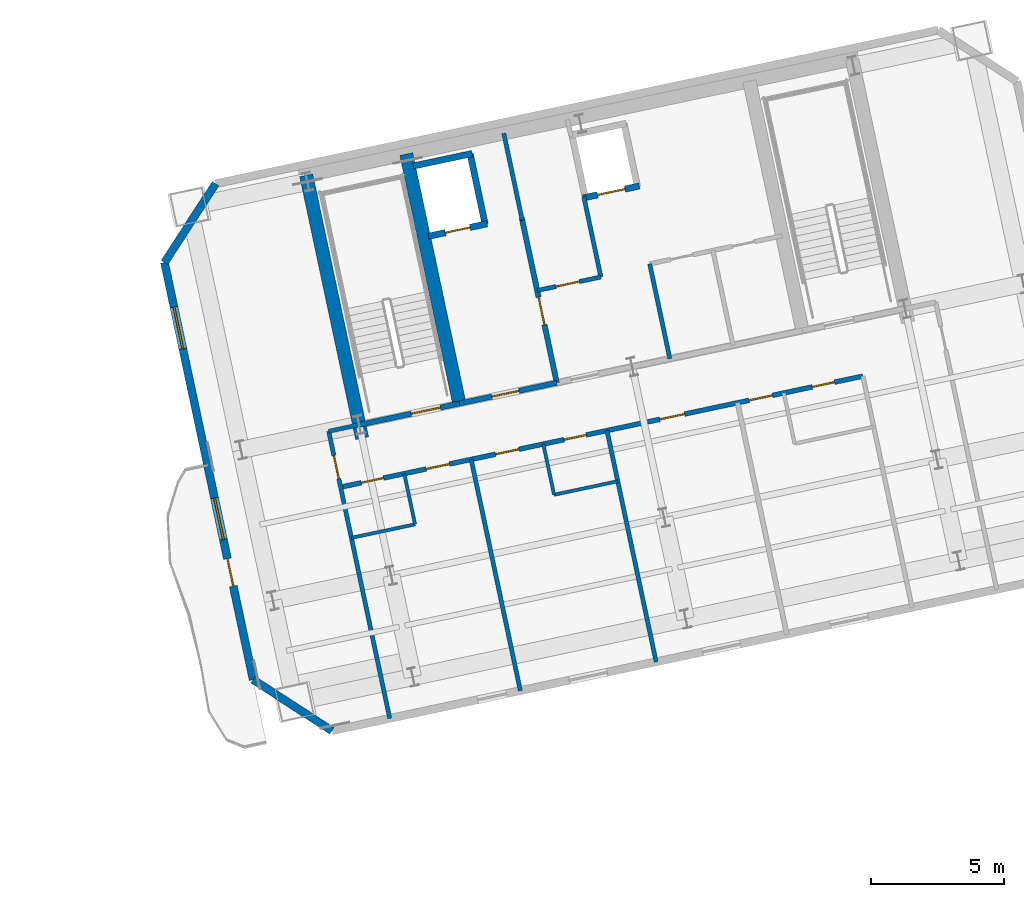
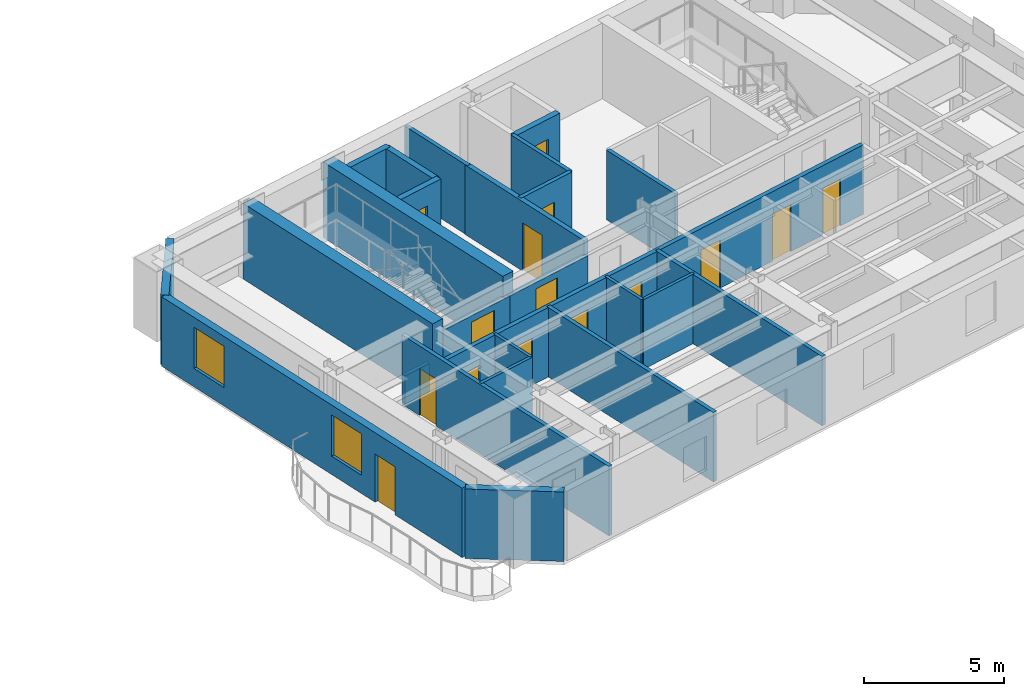
# One storey, part 9 of 15: 25 walls, 15 doors, 2 windows, 17 openings.
"""IFC4 building model written with IfcOpenShell, lengths in metres."""

from ifc_helpers import new_model, si_unit, direction, frame, frame_2d, origin, place, context, subcontext, project, spatial, rectangle, extrude, material, layer, layer_set, type_object, element, fill, save


model = new_model("IFC4")

# Units and contexts
model_context = context("Model", 3, precision=1e-05, world=origin(), true_north=direction((0.0, 1.0)))
body_context = subcontext(model_context, "Body", "Model", "MODEL_VIEW")
ifc_project = project(units=[si_unit("LENGTHUNIT", "METRE"), si_unit("AREAUNIT", "SQUARE_METRE"), si_unit("VOLUMEUNIT", "CUBIC_METRE"), si_unit("PLANEANGLEUNIT", "RADIAN"), si_unit("MASSUNIT", "GRAM", prefix="KILO")], contexts=[model_context])

# Site, building, storey
site_placement = place(None, origin())
site = spatial("IfcSite", under=ifc_project, at=site_placement, CompositionType="ELEMENT")
building_placement = place(site_placement, origin())
building = spatial("IfcBuilding", under=site, at=building_placement, Name="Haevon Station Towers", CompositionType="ELEMENT")
storey_placement = place(building_placement, frame((0.0, 0.0, 152.699951171875)))
storey = spatial("IfcBuildingStorey", under=building, at=storey_placement, Name="L41", CompositionType="ELEMENT", Elevation=152.699951171875)

# Wall, openings, doors
ifc_material_1 = material(Name="Gypsum board on steel stud", Category="steel")
ifc_layer_1 = layer(ifc_material_1, 0.179931640625)
ifc_layer_set_1 = layer_set([ifc_layer_1], Name="Gypsum board on steel stud")
wall_type_1 = type_object("IfcWallType", Name="WL-ACU180", PredefinedType="PARTITIONING", material=ifc_layer_set_1)
wall_1_placement = place(storey_placement, frame((98.050048828125, 35.09521484375, 0.0), z_axis=(0.0, 0.0, 1.0), x_axis=(0.978147424763, 0.207912518693, 0.0)))
wall_1 = element("IfcWall", 1, at=wall_1_placement, inside=storey, type_object=wall_type_1, Name="WL-T2PT-L41-15", PredefinedType="PARTITIONING", context=body_context, shape_type="SweptSolid", body=[
    extrude(rectangle(XDim=20.094970703125, YDim=0.179931640625, at=frame_2d((10.04736328125, 0.0))), origin(), (0.0, 0.0, 1.0), 3.030029296875),
])
opening_1_placement = place(wall_1_placement, frame((0.800048828125, 0.0, 0.0)))
opening_1 = element("IfcOpeningElement", 2, at=opening_1_placement, cuts=wall_1, Name="Opening DR-WL-T2PT-L41-15-01", PredefinedType="OPENING", context=body_context, shape_type="SweptSolid", body=[
    extrude(rectangle(XDim=0.85009765625, YDim=2.050048828125, at=frame_2d((0.425048828125, 1.02490234375))), frame((0.0, 0.099853515625, 0.0), z_axis=(0.0, -1.0, 0.0), x_axis=(1.0, 0.0, 0.0)), (0.0, 0.0, 1.0), 0.199951171875),
])
opening_2_placement = place(wall_1_placement, frame((3.287109375, 0.0, 0.0)))
opening_2 = element("IfcOpeningElement", 3, at=opening_2_placement, cuts=wall_1, Name="Opening DR-WL-T2PT-L41-15-02", PredefinedType="OPENING", context=body_context, shape_type="SweptSolid", body=[
    extrude(rectangle(XDim=0.89990234375, YDim=2.050048828125, at=frame_2d((0.449951171875, 1.02490234375))), frame((0.0, 0.099853515625, 0.0), z_axis=(0.0, -1.0, 0.0), x_axis=(1.0, 0.0, 0.0)), (0.0, 0.0, 1.0), 0.199951171875),
])
opening_3_placement = place(wall_1_placement, frame((8.59912109375, 0.0, 0.0)))
opening_3 = element("IfcOpeningElement", 4, at=opening_3_placement, cuts=wall_1, Name="Opening DR-WL-T2PT-L41-15-03", PredefinedType="OPENING", context=body_context, shape_type="SweptSolid", body=[
    extrude(rectangle(XDim=0.85009765625, YDim=2.050048828125, at=frame_2d((0.425048828125, 1.02490234375))), frame((0.0, 0.099853515625, 0.0), z_axis=(0.0, -1.0, 0.0), x_axis=(1.0, 0.0, 0.0)), (0.0, 0.0, 1.0), 0.199951171875),
])
opening_4_placement = place(wall_1_placement, frame((5.9609375, 0.0, 0.0)))
opening_4 = element("IfcOpeningElement", 5, at=opening_4_placement, cuts=wall_1, Name="Opening DR-WL-T2PT-L41-15-04", PredefinedType="OPENING", context=body_context, shape_type="SweptSolid", body=[
    extrude(rectangle(XDim=0.89990234375, YDim=2.050048828125, at=frame_2d((0.449951171875, 1.02490234375))), frame((0.0, 0.099853515625, 0.0), z_axis=(0.0, -1.0, 0.0), x_axis=(1.0, 0.0, 0.0)), (0.0, 0.0, 1.0), 0.199951171875),
])
opening_5_placement = place(wall_1_placement, frame((12.284912109375, 0.0, 0.0)))
opening_5 = element("IfcOpeningElement", 6, at=opening_5_placement, cuts=wall_1, Name="Opening DR-WL-T2PT-L41-15-05", PredefinedType="OPENING", context=body_context, shape_type="SweptSolid", body=[
    extrude(rectangle(XDim=0.949951171875, YDim=2.10009765625, at=frame_2d((0.47509765625, 1.050048828125))), frame((0.0, 0.099853515625, 0.0), z_axis=(0.0, -1.0, 0.0), x_axis=(1.0, 0.0, 0.0)), (0.0, 0.0, 1.0), 0.199951171875),
])
opening_6_placement = place(wall_1_placement, frame((18.14892578125, 0.0, 0.0)))
opening_6 = element("IfcOpeningElement", 7, at=opening_6_placement, cuts=wall_1, Name="Opening DR-WL-T2PT-L41-15-06", PredefinedType="OPENING", context=body_context, shape_type="SweptSolid", body=[
    extrude(rectangle(XDim=0.85009765625, YDim=2.050048828125, at=frame_2d((0.425048828125, 1.02490234375))), frame((0.0, 0.099853515625, 0.0), z_axis=(0.0, -1.0, 0.0), x_axis=(1.0, 0.0, 0.0)), (0.0, 0.0, 1.0), 0.199951171875),
])
opening_7_placement = place(wall_1_placement, frame((15.7119140625, 0.0, 0.0)))
opening_7 = element("IfcOpeningElement", 8, at=opening_7_placement, cuts=wall_1, Name="Opening DR-WL-T2PT-L41-15-07", PredefinedType="OPENING", context=body_context, shape_type="SweptSolid", body=[
    extrude(rectangle(XDim=0.89990234375, YDim=2.050048828125, at=frame_2d((0.449951171875, 1.02490234375))), frame((0.0, 0.099853515625, 0.0), z_axis=(0.0, -1.0, 0.0), x_axis=(1.0, 0.0, 0.0)), (0.0, 0.0, 1.0), 0.199951171875),
])
ifc_material_2 = material(Name="Engineered oak timber", Category="wood")
door_type_1 = type_object("IfcDoorType", Name="DR-FD30-850", OperationType="NOTDEFINED", PredefinedType="DOOR", material=ifc_material_2)
door_1_placement = place(opening_1_placement, origin())
door_1 = element("IfcDoor", 9, at=door_1_placement, inside=storey, type_object=door_type_1, Name="L41 Tower 2 Room Door 15-1", OperationType="SINGLE_SWING_RIGHT", OverallHeight=2.050048828125, OverallWidth=0.85009765625, PredefinedType="DOOR", context=body_context, shape_type="SweptSolid", body=[
    extrude(rectangle(XDim=0.85009765625, YDim=2.050048828125, at=frame_2d((0.425048828125, 1.02490234375))), frame((0.0, 0.02490234375, 0.0), z_axis=(0.0, -1.0, 0.0), x_axis=(1.0, 0.0, 0.0)), (0.0, 0.0, 1.0), 0.050048828125),
])
fill(opening_1, door_1)
door_2_placement = place(opening_3_placement, origin())
door_2 = element("IfcDoor", 10, at=door_2_placement, inside=storey, type_object=door_type_1, Name="L41 Tower 2 Room Door 15-3", OperationType="SINGLE_SWING_RIGHT", OverallHeight=2.050048828125, OverallWidth=0.85009765625, PredefinedType="DOOR", context=body_context, shape_type="SweptSolid", body=[
    extrude(rectangle(XDim=0.85009765625, YDim=2.050048828125, at=frame_2d((0.425048828125, 1.02490234375))), frame((0.0, 0.02490234375, 0.0), z_axis=(0.0, -1.0, 0.0), x_axis=(1.0, 0.0, 0.0)), (0.0, 0.0, 1.0), 0.050048828125),
])
fill(opening_3, door_2)
door_3_placement = place(opening_6_placement, origin())
door_3 = element("IfcDoor", 11, at=door_3_placement, inside=storey, type_object=door_type_1, Name="L41 Tower 2 Room Door 15-6", OperationType="SINGLE_SWING_LEFT", OverallHeight=2.050048828125, OverallWidth=0.85009765625, PredefinedType="DOOR", context=body_context, shape_type="SweptSolid", body=[
    extrude(rectangle(XDim=0.85009765625, YDim=2.050048828125, at=frame_2d((0.425048828125, 1.02490234375))), frame((0.0, 0.02490234375, 0.0), z_axis=(0.0, -1.0, 0.0), x_axis=(1.0, 0.0, 0.0)), (0.0, 0.0, 1.0), 0.050048828125),
])
fill(opening_6, door_3)
door_type_2 = type_object("IfcDoorType", Name="DR-FD30-950", OperationType="NOTDEFINED", PredefinedType="DOOR", material=ifc_material_2)
door_4_placement = place(opening_5_placement, origin())
door_4 = element("IfcDoor", 12, at=door_4_placement, inside=storey, type_object=door_type_2, Name="L41 Tower 2 Room Door 15-5", OperationType="SINGLE_SWING_RIGHT", OverallHeight=2.10009765625, OverallWidth=0.949951171875, PredefinedType="DOOR", context=body_context, shape_type="SweptSolid", body=[
    extrude(rectangle(XDim=0.949951171875, YDim=2.10009765625, at=frame_2d((0.47509765625, 1.050048828125))), frame((0.0, 0.02490234375, 0.0), z_axis=(0.0, -1.0, 0.0), x_axis=(1.0, 0.0, 0.0)), (0.0, 0.0, 1.0), 0.050048828125),
])
fill(opening_5, door_4)
door_type_3 = type_object("IfcDoorType", Name="DR-INT-900", OperationType="NOTDEFINED", PredefinedType="DOOR", material=ifc_material_2)
door_5_placement = place(opening_2_placement, origin())
door_5 = element("IfcDoor", 13, at=door_5_placement, inside=storey, type_object=door_type_3, Name="L41 Tower 2 Room Door 15-2", OperationType="SINGLE_SWING_LEFT", OverallHeight=2.050048828125, OverallWidth=0.89990234375, PredefinedType="DOOR", context=body_context, shape_type="SweptSolid", body=[
    extrude(rectangle(XDim=0.89990234375, YDim=2.050048828125, at=frame_2d((0.449951171875, 1.02490234375))), frame((0.0, 0.02490234375, 0.0), z_axis=(0.0, -1.0, 0.0), x_axis=(1.0, 0.0, 0.0)), (0.0, 0.0, 1.0), 0.050048828125),
])
fill(opening_2, door_5)
door_6_placement = place(opening_4_placement, origin())
door_6 = element("IfcDoor", 14, at=door_6_placement, inside=storey, type_object=door_type_3, Name="L41 Tower 2 Room Door 15-4", OperationType="SINGLE_SWING_LEFT", OverallHeight=2.050048828125, OverallWidth=0.89990234375, PredefinedType="DOOR", context=body_context, shape_type="SweptSolid", body=[
    extrude(rectangle(XDim=0.89990234375, YDim=2.050048828125, at=frame_2d((0.449951171875, 1.02490234375))), frame((0.0, 0.02490234375, 0.0), z_axis=(0.0, -1.0, 0.0), x_axis=(1.0, 0.0, 0.0)), (0.0, 0.0, 1.0), 0.050048828125),
])
fill(opening_4, door_6)
door_7_placement = place(opening_7_placement, origin())
door_7 = element("IfcDoor", 15, at=door_7_placement, inside=storey, type_object=door_type_3, Name="L41 Tower 2 Room Door 15-7", OperationType="SINGLE_SWING_RIGHT", OverallHeight=2.050048828125, OverallWidth=0.89990234375, PredefinedType="DOOR", context=body_context, shape_type="SweptSolid", body=[
    extrude(rectangle(XDim=0.89990234375, YDim=2.050048828125, at=frame_2d((0.449951171875, 1.02490234375))), frame((0.0, 0.02490234375, 0.0), z_axis=(0.0, -1.0, 0.0), x_axis=(1.0, 0.0, 0.0)), (0.0, 0.0, 1.0), 0.050048828125),
])
fill(opening_7, door_7)

# Wall, opening, door
ifc_layer_2 = layer(ifc_material_1, 0.199951171875)
ifc_layer_set_2 = layer_set([ifc_layer_2], Name="Gypsum board on steel stud")
wall_type_2 = type_object("IfcWallType", Name="WL-COR200", PredefinedType="PARTITIONING", material=ifc_layer_set_2)
wall_2_placement = place(storey_placement, frame((98.75244140625, 37.4423828125, 0.0), z_axis=(0.0, 0.0, 1.0), x_axis=(0.978143537786, 0.207930804564, 0.0)))
wall_2 = element("IfcWall", 16, at=wall_2_placement, inside=storey, type_object=wall_type_2, Name="WL-ST-ST3-L41", PredefinedType="PARTITIONING", context=body_context, shape_type="SweptSolid", body=[
    extrude(rectangle(XDim=3.85009765625, YDim=0.199951171875, at=frame_2d((1.925048828125, 0.0))), origin(), (0.0, 0.0, 1.0), 2.380126953125),
])
opening_8_placement = place(wall_2_placement, frame((2.0, 0.0, 0.0)))
opening_8 = element("IfcOpeningElement", 17, at=opening_8_placement, cuts=wall_2, Name="Opening DR-ST-ST3-L41", PredefinedType="OPENING", context=body_context, shape_type="SweptSolid", body=[
    extrude(rectangle(XDim=1.1201171875, YDim=2.10009765625, at=frame_2d((0.56005859375, 1.050048828125))), frame((0.0, 0.10986328125, 0.0), z_axis=(0.0, -1.0, 0.0), x_axis=(1.0, 0.0, 0.0)), (0.0, 0.0, 1.0), 0.219970703125),
])
door_type_4 = type_object("IfcDoorType", Name="DR-ST-1120", OperationType="NOTDEFINED", PredefinedType="DOOR", material=ifc_material_2)
door_8_placement = place(opening_8_placement, origin())
door_8 = element("IfcDoor", 18, at=door_8_placement, inside=storey, type_object=door_type_4, Name="L41 Escape Stair ST3 Fire Door", OperationType="SINGLE_SWING_RIGHT", OverallHeight=2.10009765625, OverallWidth=1.1201171875, PredefinedType="DOOR", context=body_context, shape_type="SweptSolid", body=[
    extrude(rectangle(XDim=1.1201171875, YDim=2.10009765625, at=frame_2d((0.56005859375, 1.050048828125))), frame((0.0, 0.02490234375, 0.0), z_axis=(0.0, -1.0, 0.0), x_axis=(1.0, 0.0, 0.0)), (0.0, 0.0, 1.0), 0.050048828125),
])
fill(opening_8, door_8)

wall_3_placement = place(storey_placement, frame((106.186279296875, 39.0224609375, 0.0), z_axis=(0.0, 0.0, 1.0), x_axis=(-0.207916691923, 0.978146537703, 0.0)))
wall_3 = element("IfcWall", 19, at=wall_3_placement, inside=storey, type_object=wall_type_2, Name="WL-T2FFL-L41-E", PredefinedType="PARTITIONING", context=body_context, shape_type="SweptSolid", body=[
    extrude(rectangle(XDim=6.35009765625, YDim=0.199951171875, at=frame_2d((3.175048828125, 0.0))), origin(), (0.0, 0.0, 1.0), 3.030029296875),
])
opening_9_placement = place(wall_3_placement, frame((2.239990234375, 0.0, 0.0)))
opening_9 = element("IfcOpeningElement", 20, at=opening_9_placement, cuts=wall_3, Name="Opening DR-T2FFL-L41-E", PredefinedType="OPENING", context=body_context, shape_type="SweptSolid", body=[
    extrude(rectangle(XDim=1.050048828125, YDim=2.10009765625, at=frame_2d((0.52490234375, 1.050048828125))), frame((0.0, 0.10986328125, 0.0), z_axis=(0.0, -1.0, 0.0), x_axis=(1.0, 0.0, 0.0)), (0.0, 0.0, 1.0), 0.219970703125),
])
door_type_5 = type_object("IfcDoorType", Name="DR-FD60-1050", OperationType="NOTDEFINED", PredefinedType="DOOR", material=ifc_material_2)
door_9_placement = place(opening_9_placement, origin())
door_9 = element("IfcDoor", 21, at=door_9_placement, inside=storey, type_object=door_type_5, Name="L41 Tower 2 Firefighting Lift Lobby Door E", OperationType="SINGLE_SWING_RIGHT", OverallHeight=2.10009765625, OverallWidth=1.050048828125, PredefinedType="DOOR", context=body_context, shape_type="SweptSolid", body=[
    extrude(rectangle(XDim=1.050048828125, YDim=2.10009765625, at=frame_2d((0.52490234375, 1.050048828125))), frame((0.0, 0.02490234375, 0.0), z_axis=(0.0, -1.0, 0.0), x_axis=(1.0, 0.0, 0.0)), (0.0, 0.0, 1.0), 0.050048828125),
])
fill(opening_9, door_9)

wall_4_placement = place(storey_placement, frame((102.518310546875, 38.242919921875, 0.0), z_axis=(0.0, 0.0, 1.0), x_axis=(0.978153555683, 0.20788367301, 0.0)))
wall_4 = element("IfcWall", 22, at=wall_4_placement, inside=storey, type_object=wall_type_2, Name="WL-T2FFL-L41-S", PredefinedType="PARTITIONING", context=body_context, shape_type="SweptSolid", body=[
    extrude(rectangle(XDim=3.75, YDim=0.199951171875, at=frame_2d((1.875, 0.0))), origin(), (0.0, 0.0, 1.0), 2.380126953125),
])
opening_10_placement = place(wall_4_placement, frame((1.25, 0.0, 0.0)))
opening_10 = element("IfcOpeningElement", 23, at=opening_10_placement, cuts=wall_4, Name="Opening DR-T2FFL-L41-S", PredefinedType="OPENING", context=body_context, shape_type="SweptSolid", body=[
    extrude(rectangle(XDim=1.050048828125, YDim=2.10009765625, at=frame_2d((0.52490234375, 1.050048828125))), frame((0.0, 0.10986328125, 0.0), z_axis=(0.0, -1.0, 0.0), x_axis=(1.0, 0.0, 0.0)), (0.0, 0.0, 1.0), 0.219970703125),
])
door_10_placement = place(opening_10_placement, origin())
door_10 = element("IfcDoor", 24, at=door_10_placement, inside=storey, type_object=door_type_5, Name="L41 Tower 2 Firefighting Lift Lobby Door S", OperationType="SINGLE_SWING_LEFT", OverallHeight=2.10009765625, OverallWidth=1.050048828125, PredefinedType="DOOR", context=body_context, shape_type="SweptSolid", body=[
    extrude(rectangle(XDim=1.050048828125, YDim=2.10009765625, at=frame_2d((0.52490234375, 1.050048828125))), frame((0.0, 0.02490234375, 0.0), z_axis=(0.0, -1.0, 0.0), x_axis=(1.0, 0.0, 0.0)), (0.0, 0.0, 1.0), 0.050048828125),
])
fill(opening_10, door_10)

# Walls
ifc_material_3 = material(Name="Concrete C60/75", Category="concrete")
ifc_layer_3 = layer(ifc_material_3, 0.5)
ifc_layer_set_3 = layer_set([ifc_layer_3], Name="Concrete C60/75")
wall_type_3 = type_object("IfcWallType", Name="WL-CR500", PredefinedType="SHEAR", material=ifc_layer_set_3)
wall_5_placement = place(storey_placement, frame((98.8603515625, 36.933837890625, 0.0), z_axis=(0.0, 0.0, 1.0), x_axis=(-0.20790924889, 0.978148119778, 0.0)))
element("IfcWall", 25, at=wall_5_placement, inside=storey, type_object=wall_type_3, Name="WL-T2CR-L41-W", PredefinedType="SHEAR", context=body_context, shape_type="SweptSolid", body=[
    extrude(rectangle(XDim=10.119873046875, YDim=0.5, at=frame_2d((5.06005859375, 0.0))), origin(), (0.0, 0.0, 1.0), 3.300048828125),
])
wall_6_placement = place(storey_placement, frame((102.518310546875, 38.242919921875, 0.0), z_axis=(0.0, 0.0, 1.0), x_axis=(-0.207927495108, 0.978144241295, 0.0)))
element("IfcWall", 26, at=wall_6_placement, inside=storey, type_object=wall_type_3, Name="WL-T2CR-L41-M1", PredefinedType="SHEAR", context=body_context, shape_type="SweptSolid", body=[
    extrude(rectangle(XDim=9.599853515625, YDim=0.5, at=frame_2d((4.7998046875, 0.0))), origin(), (0.0, 0.0, 1.0), 3.300048828125),
])
ifc_material_4 = material(Name="Precast concrete C45/55", Category="concrete")
ifc_layer_4 = layer(ifc_material_4, 0.300048828125)
ifc_layer_set_4 = layer_set([ifc_layer_4], Name="Precast concrete C45/55")
wall_type_4 = type_object("IfcWallType", Name="WL-EXT-PIER300", PredefinedType="SOLIDWALL", material=ifc_layer_set_4)
wall_7_placement = place(storey_placement, frame((97.72412109375, 25.927001953125, 0.0), z_axis=(0.0, 0.0, 1.0), x_axis=(-0.838672309694, 0.544636352948, 0.0)))
element("IfcWall", 27, at=wall_7_placement, inside=storey, type_object=wall_type_4, Name="WL-T2-L41-SWC", PredefinedType="SOLIDWALL", context=body_context, shape_type="SweptSolid", body=[
    extrude(rectangle(XDim=3.535400390625, YDim=0.300048828125, at=frame_2d((1.767578125, 0.0))), origin(), (0.0, 0.0, 1.0), 3.030029296875),
])

# Wall, openings, door, windows
wall_8_placement = place(storey_placement, frame((94.759033203125, 27.8525390625, 0.0), z_axis=(0.0, 0.0, 1.0), x_axis=(-0.207922793235, 0.978145240776, 0.0)))
wall_8 = element("IfcWall", 28, at=wall_8_placement, inside=storey, type_object=wall_type_4, Name="WL-T2-L41-W", PredefinedType="SOLIDWALL", context=body_context, shape_type="SweptSolid", body=[
    extrude(rectangle(XDim=16.050048828125, YDim=0.300048828125, at=frame_2d((8.02490234375, 0.0))), origin(), (0.0, 0.0, 1.0), 3.030029296875),
])
opening_11_placement = place(wall_8_placement, frame((3.60009765625, 0.0, 0.0)))
opening_11 = element("IfcOpeningElement", 29, at=opening_11_placement, cuts=wall_8, Name="Opening DR-T2-SCAL-L41-W", PredefinedType="OPENING", context=body_context, shape_type="SweptSolid", body=[
    extrude(rectangle(XDim=1.050048828125, YDim=2.10009765625, at=frame_2d((0.52490234375, 1.050048828125))), frame((0.0, 0.159912109375, 0.0), z_axis=(0.0, -1.0, 0.0), x_axis=(1.0, 0.0, 0.0)), (0.0, 0.0, 1.0), 0.320068359375),
])
opening_12_placement = place(wall_8_placement, frame((5.389404296875, 0.0, 0.800048828125)))
opening_12 = element("IfcOpeningElement", 30, at=opening_12_placement, cuts=wall_8, Name="Opening WN-END160", PredefinedType="OPENING", context=body_context, shape_type="SweptSolid", body=[
    extrude(rectangle(XDim=1.60009765625, YDim=1.800048828125, at=frame_2d((0.800048828125, 0.89990234375))), frame((0.0, 0.159912109375, 0.0), z_axis=(0.0, -1.0, 0.0), x_axis=(1.0, 0.0, 0.0)), (0.0, 0.0, 1.0), 0.320068359375),
])
opening_13_placement = place(wall_8_placement, frame((12.732177734375, 0.0, 0.800048828125)))
opening_13 = element("IfcOpeningElement", 31, at=opening_13_placement, cuts=wall_8, Name="Opening WN-END160", PredefinedType="OPENING", context=body_context, shape_type="SweptSolid", body=[
    extrude(rectangle(XDim=1.60009765625, YDim=1.800048828125, at=frame_2d((0.800048828125, 0.89990234375))), frame((0.0, 0.159912109375, 0.0), z_axis=(0.0, -1.0, 0.0), x_axis=(1.0, 0.0, 0.0)), (0.0, 0.0, 1.0), 0.320068359375),
])
ifc_material_5 = material(Name="Thermally broken anodised aluminium and laminated safety glass", Category="aluminium")
door_type_6 = type_object("IfcDoorType", Name="DR-BALC-1050", OperationType="NOTDEFINED", PredefinedType="DOOR", material=ifc_material_5)
door_11_placement = place(opening_11_placement, origin())
door_11 = element("IfcDoor", 32, at=door_11_placement, inside=storey, type_object=door_type_6, Name="Tower 2 L41 West Scalloped Balcony Door", OperationType="SINGLE_SWING_LEFT", OverallHeight=2.10009765625, OverallWidth=1.050048828125, PredefinedType="DOOR", context=body_context, shape_type="SweptSolid", body=[
    extrude(rectangle(XDim=1.050048828125, YDim=2.10009765625, at=frame_2d((0.52490234375, 1.050048828125))), frame((0.0, 0.02490234375, 0.0), z_axis=(0.0, -1.0, 0.0), x_axis=(1.0, 0.0, 0.0)), (0.0, 0.0, 1.0), 0.050048828125),
])
fill(opening_11, door_11)
ifc_material_6 = material(Name="Low-E triple glazing in thermally broken aluminium", Category="aluminium")
window_type = type_object("IfcWindowType", Name="WN-END160", PartitioningType="SINGLE_PANEL", PredefinedType="WINDOW", material=ifc_material_6)
window_1_placement = place(opening_12_placement, origin())
window_1 = element("IfcWindow", 33, at=window_1_placement, inside=storey, type_object=window_type, Name="WN-T2-L41-W01", OverallHeight=1.800048828125, OverallWidth=1.60009765625, PartitioningType="SINGLE_PANEL", PredefinedType="WINDOW", context=body_context, shape_type="SweptSolid", body=[
    extrude(rectangle(XDim=1.60009765625, YDim=1.800048828125, at=frame_2d((0.800048828125, 0.89990234375))), frame((0.0, 0.030029296875, 0.0), z_axis=(0.0, -1.0, 0.0), x_axis=(1.0, 0.0, 0.0)), (0.0, 0.0, 1.0), 0.06005859375),
])
fill(opening_12, window_1)
window_2_placement = place(opening_13_placement, origin())
window_2 = element("IfcWindow", 34, at=window_2_placement, inside=storey, type_object=window_type, Name="WN-T2-L41-W02", OverallHeight=1.800048828125, OverallWidth=1.60009765625, PartitioningType="SINGLE_PANEL", PredefinedType="WINDOW", context=body_context, shape_type="SweptSolid", body=[
    extrude(rectangle(XDim=1.60009765625, YDim=1.800048828125, at=frame_2d((0.800048828125, 0.89990234375))), frame((0.0, 0.030029296875, 0.0), z_axis=(0.0, -1.0, 0.0), x_axis=(1.0, 0.0, 0.0)), (0.0, 0.0, 1.0), 0.06005859375),
])
fill(opening_13, window_2)

# Walls
wall_9_placement = place(storey_placement, frame((91.421875, 43.5517578125, 0.0), z_axis=(0.0, 0.0, 1.0), x_axis=(0.544604812064, 0.838692791597, 0.0)))
element("IfcWall", 35, at=wall_9_placement, inside=storey, type_object=wall_type_4, Name="WL-T2-L41-NWC", PredefinedType="SOLIDWALL", context=body_context, shape_type="SweptSolid", body=[
    extrude(rectangle(XDim=3.53564453125, YDim=0.300048828125, at=frame_2d((1.767822265625, 0.0))), origin(), (0.0, 0.0, 1.0), 3.030029296875),
])
ifc_layer_5 = layer(ifc_material_1, 0.125)
ifc_layer_set_5 = layer_set([ifc_layer_5], Name="Gypsum board on steel stud")
wall_type_5 = type_object("IfcWallType", Name="WL-PRT125", PredefinedType="PARTITIONING", material=ifc_layer_set_5)
wall_10_placement = place(storey_placement, frame((98.45556640625, 33.187744140625, 0.0), z_axis=(0.0, 0.0, 1.0), x_axis=(0.978152518419, 0.207888553583, 0.0)))
element("IfcWall", 36, at=wall_10_placement, inside=storey, type_object=wall_type_5, Name="WL-T2PT-L41-06", PredefinedType="PARTITIONING", context=body_context, shape_type="SweptSolid", body=[
    extrude(rectangle(XDim=2.44970703125, YDim=0.125, at=frame_2d((1.224853515625, 0.0))), origin(), (0.0, 0.0, 1.0), 3.030029296875),
])
wall_11_placement = place(storey_placement, frame((100.851806640625, 33.697021484375, 0.0), z_axis=(0.0, 0.0, 1.0), x_axis=(-0.207827311363, 0.978165532337, 0.0)))
element("IfcWall", 37, at=wall_11_placement, inside=storey, type_object=wall_type_5, Name="WL-T2PT-L41-07", PredefinedType="PARTITIONING", context=body_context, shape_type="SweptSolid", body=[
    extrude(rectangle(XDim=1.949951171875, YDim=0.125, at=frame_2d((0.97509765625, 0.0))), origin(), (0.0, 0.0, 1.0), 3.030029296875),
])
wall_12_placement = place(storey_placement, frame((106.08349609375, 34.80908203125, 0.0), z_axis=(0.0, 0.0, 1.0), x_axis=(0.978136559131, 0.207963630695, 0.0)))
element("IfcWall", 38, at=wall_12_placement, inside=storey, type_object=wall_type_5, Name="WL-T2PT-L41-09", PredefinedType="PARTITIONING", context=body_context, shape_type="SweptSolid", body=[
    extrude(rectangle(XDim=2.449951171875, YDim=0.125, at=frame_2d((1.22509765625, 0.0))), origin(), (0.0, 0.0, 1.0), 3.030029296875),
])
wall_13_placement = place(storey_placement, frame((106.08349609375, 34.80908203125, 0.0), z_axis=(0.0, 0.0, 1.0), x_axis=(-0.207827311363, 0.978165532337, 0.0)))
element("IfcWall", 39, at=wall_13_placement, inside=storey, type_object=wall_type_5, Name="WL-T2PT-L41-10", PredefinedType="PARTITIONING", context=body_context, shape_type="SweptSolid", body=[
    extrude(rectangle(XDim=1.949951171875, YDim=0.125, at=frame_2d((0.97509765625, 0.0))), origin(), (0.0, 0.0, 1.0), 3.030029296875),
])
ifc_layer_6 = layer(ifc_material_1, 0.159912109375)
ifc_layer_set_6 = layer_set([ifc_layer_6], Name="Gypsum board on steel stud")
wall_type_6 = type_object("IfcWallType", Name="WL-PRT160", PredefinedType="PARTITIONING", material=ifc_layer_set_6)
wall_14_placement = place(storey_placement, frame((104.88671875, 45.135986328125, 0.0), z_axis=(0.0, 0.0, 1.0), x_axis=(-0.207846553267, 0.978161443881, 0.0)))
element("IfcWall", 40, at=wall_14_placement, inside=storey, type_object=wall_type_6, Name="WL-T2CW-L41-01", PredefinedType="PARTITIONING", context=body_context, shape_type="SweptSolid", body=[
    extrude(rectangle(XDim=3.35009765625, YDim=0.159912109375, at=frame_2d((1.675048828125, 0.0))), origin(), (0.0, 0.0, 1.0), 3.030029296875),
])

# Wall, opening, door
wall_15_placement = place(storey_placement, frame((105.4482421875, 42.494873046875, 0.0), z_axis=(0.0, 0.0, 1.0), x_axis=(0.978136559131, 0.207963630695, 0.0)))
wall_15 = element("IfcWall", 41, at=wall_15_placement, inside=storey, type_object=wall_type_6, Name="WL-T2CW-L41-02", PredefinedType="PARTITIONING", context=body_context, shape_type="SweptSolid", body=[
    extrude(rectangle(XDim=2.449951171875, YDim=0.159912109375, at=frame_2d((1.22509765625, 0.0))), origin(), (0.0, 0.0, 1.0), 3.030029296875),
])
opening_14_placement = place(wall_15_placement, frame((0.719970703125, 0.0, 0.0)))
opening_14 = element("IfcOpeningElement", 42, at=opening_14_placement, cuts=wall_15, Name="Opening DR-WL-T2CW-L41-02-1", PredefinedType="OPENING", context=body_context, shape_type="SweptSolid", body=[
    extrude(rectangle(XDim=0.89990234375, YDim=2.10009765625, at=frame_2d((0.449951171875, 1.050048828125))), frame((0.0, 0.08984375, 0.0), z_axis=(0.0, -1.0, 0.0), x_axis=(1.0, 0.0, 0.0)), (0.0, 0.0, 1.0), 0.179931640625),
])
door_type_7 = type_object("IfcDoorType", Name="DR-FD60-900", OperationType="NOTDEFINED", PredefinedType="DOOR", material=ifc_material_2)
door_12_placement = place(opening_14_placement, origin())
door_12 = element("IfcDoor", 43, at=door_12_placement, inside=storey, type_object=door_type_7, Name="L41 Tower 2 Core Room Door 2-1", OperationType="SINGLE_SWING_LEFT", OverallHeight=2.10009765625, OverallWidth=0.89990234375, PredefinedType="DOOR", context=body_context, shape_type="SweptSolid", body=[
    extrude(rectangle(XDim=0.89990234375, YDim=2.10009765625, at=frame_2d((0.449951171875, 1.050048828125))), frame((0.0, 0.02490234375, 0.0), z_axis=(0.0, -1.0, 0.0), x_axis=(1.0, 0.0, 0.0)), (0.0, 0.0, 1.0), 0.050048828125),
])
fill(opening_14, door_12)

# Walls
wall_16_placement = place(storey_placement, frame((107.8447265625, 43.00439453125, 0.0), z_axis=(0.0, 0.0, 1.0), x_axis=(-0.207915270313, 0.978146839882, 0.0)))
element("IfcWall", 44, at=wall_16_placement, inside=storey, type_object=wall_type_6, Name="WL-T2CW-L41-03", PredefinedType="PARTITIONING", context=body_context, shape_type="SweptSolid", body=[
    extrude(rectangle(XDim=3.099853515625, YDim=0.159912109375, at=frame_2d((1.5498046875, 0.0))), origin(), (0.0, 0.0, 1.0), 3.030029296875),
])
wall_17_placement = place(storey_placement, frame((110.441162109375, 39.927001953125, 0.0), z_axis=(0.0, 0.0, 1.0), x_axis=(-0.207884354546, 0.978153410838, 0.0)))
element("IfcWall", 45, at=wall_17_placement, inside=storey, type_object=wall_type_6, Name="WL-T2CW-L41-05", PredefinedType="PARTITIONING", context=body_context, shape_type="SweptSolid", body=[
    extrude(rectangle(XDim=3.650146484375, YDim=0.159912109375, at=frame_2d((1.8251953125, 0.0))), origin(), (0.0, 0.0, 1.0), 3.030029296875),
])
wall_18_placement = place(storey_placement, frame((97.60302734375, 37.197998046875, 0.0), z_axis=(0.0, 0.0, 1.0), x_axis=(0.978135611929, 0.207968085714, 0.0)))
element("IfcWall", 46, at=wall_18_placement, inside=storey, type_object=wall_type_6, Name="WL-T2PT-L41-02", PredefinedType="PARTITIONING", context=body_context, shape_type="SweptSolid", body=[
    extrude(rectangle(XDim=1.175048828125, YDim=0.159912109375, at=frame_2d((0.58740234375, 0.0))), origin(), (0.0, 0.0, 1.0), 1.22998046875),
])

# Wall, opening, door
wall_19_placement = place(storey_placement, frame((99.900390625, 26.3896484375, 0.0), z_axis=(0.0, 0.0, 1.0), x_axis=(-0.207909755675, 0.978148012059, 0.0)))
wall_19 = element("IfcWall", 47, at=wall_19_placement, inside=storey, type_object=wall_type_6, Name="WL-T2PT-L41-04", PredefinedType="PARTITIONING", context=body_context, shape_type="SweptSolid", body=[
    extrude(rectangle(XDim=11.0498046875, YDim=0.159912109375, at=frame_2d((5.52490234375, 0.0))), origin(), (0.0, 0.0, 1.0), 3.030029296875),
])
opening_15_placement = place(wall_19_placement, frame((9.219970703125, 0.0, 0.0)))
opening_15 = element("IfcOpeningElement", 48, at=opening_15_placement, cuts=wall_19, Name="Opening DR-WL-T2PT-L41-04-01", PredefinedType="OPENING", context=body_context, shape_type="SweptSolid", body=[
    extrude(rectangle(XDim=0.89990234375, YDim=2.050048828125, at=frame_2d((0.449951171875, 1.02490234375))), frame((0.0, 0.08984375, 0.0), z_axis=(0.0, -1.0, 0.0), x_axis=(1.0, 0.0, 0.0)), (0.0, 0.0, 1.0), 0.179931640625),
])
door_13_placement = place(opening_15_placement, origin())
door_13 = element("IfcDoor", 49, at=door_13_placement, inside=storey, type_object=door_type_3, Name="L41 Tower 2 Room Door 4-1", OperationType="SINGLE_SWING_RIGHT", OverallHeight=2.050048828125, OverallWidth=0.89990234375, PredefinedType="DOOR", context=body_context, shape_type="SweptSolid", body=[
    extrude(rectangle(XDim=0.89990234375, YDim=2.050048828125, at=frame_2d((0.449951171875, 1.02490234375))), frame((0.0, 0.02490234375, 0.0), z_axis=(0.0, -1.0, 0.0), x_axis=(1.0, 0.0, 0.0)), (0.0, 0.0, 1.0), 0.050048828125),
])
fill(opening_15, door_13)

# Walls
for number, where, z_axis, x_axis, name in (
    (50, (104.814453125, 27.43408203125, 0.0), (0.0, 0.0, 1.0), (-0.207928963567, 0.978143929138, 0.0), "WL-T2PT-L41-08"),
    (51, (109.925048828125, 28.520263671875, 0.0), (0.0, 0.0, 1.0), (-0.207928963567, 0.978143929138, 0.0), "WL-T2PT-L41-11"),
):
    element("IfcWall", number, at=place(storey_placement, frame(where, z_axis=z_axis, x_axis=x_axis)), inside=storey, type_object=wall_type_6, Name=name, PredefinedType="PARTITIONING", context=body_context, shape_type="SweptSolid", body=[
        extrude(rectangle(XDim=8.900146484375, YDim=0.159912109375, at=frame_2d((4.4501953125, 0.0))), origin(), (0.0, 0.0, 1.0), 3.030029296875),
    ])

# Wall, opening, door
ifc_material_7 = material(Name="Concrete C40/50", Category="concrete")
ifc_layer_7 = layer(ifc_material_7, 0.239990234375)
ifc_layer_set_7 = layer_set([ifc_layer_7], Name="Concrete C40/50")
wall_type_7 = type_object("IfcWallType", Name="WL-SHF240", PredefinedType="PARTITIONING", material=ifc_layer_set_7)
wall_20_placement = place(storey_placement, frame((101.353759765625, 44.538330078125, 0.0), z_axis=(0.0, 0.0, 1.0), x_axis=(0.978141002414, 0.207942731049, 0.0)))
wall_20 = element("IfcWall", 52, at=wall_20_placement, inside=storey, type_object=wall_type_7, Name="WL-SHF-FL2-L41", PredefinedType="PARTITIONING", context=body_context, shape_type="SweptSolid", body=[
    extrude(rectangle(XDim=2.260009765625, YDim=0.239990234375, at=frame_2d((1.1298828125, 0.0))), origin(), (0.0, 0.0, 1.0), 3.030029296875),
])
opening_16_placement = place(wall_20_placement, frame((0.655029296875, 0.0, 0.0)))
opening_16 = element("IfcOpeningElement", 53, at=opening_16_placement, cuts=wall_20, Name="Opening LD-FL2-L41", PredefinedType="OPENING", context=body_context, shape_type="SweptSolid", body=[
    extrude(rectangle(XDim=0.949951171875, YDim=2.14990234375, at=frame_2d((0.47509765625, 1.074951171875))), frame((0.0, 0.1298828125, 0.0), z_axis=(0.0, -1.0, 0.0), x_axis=(1.0, 0.0, 0.0)), (0.0, 0.0, 1.0), 0.260009765625),
])
ifc_material_8 = material(Name="Stainless steel and rated core", Category="steel")
door_type_8 = type_object("IfcDoorType", Name="LD-FL950", OperationType="SLIDING_TO_LEFT", PredefinedType="DOOR", material=ifc_material_8)
door_14_placement = place(opening_16_placement, origin())
door_14 = element("IfcDoor", 54, at=door_14_placement, inside=storey, type_object=door_type_8, Name="L41 Lift FL2 Sliding Landing Door", OperationType="SLIDING_TO_LEFT", OverallHeight=2.14990234375, OverallWidth=0.949951171875, PredefinedType="DOOR", context=body_context, shape_type="SweptSolid", body=[
    extrude(rectangle(XDim=0.949951171875, YDim=2.14990234375, at=frame_2d((0.47509765625, 1.074951171875))), frame((0.0, 0.02490234375, 0.0), z_axis=(0.0, -1.0, 0.0), x_axis=(1.0, 0.0, 0.0)), (0.0, 0.0, 1.0), 0.050048828125),
])
fill(opening_16, door_14)

# Walls
wall_21_placement = place(storey_placement, frame((100.79248046875, 47.179443359375, 0.0), z_axis=(0.0, 0.0, 1.0), x_axis=(0.978162968872, 0.207839376268, 0.0)))
element("IfcWall", 55, at=wall_21_placement, inside=storey, type_object=wall_type_7, Name="WL-SHF-FL2-L41-N", PredefinedType="PARTITIONING", context=body_context, shape_type="SweptSolid", body=[
    extrude(rectangle(XDim=2.260009765625, YDim=0.239990234375, at=frame_2d((1.1298828125, 0.0))), origin(), (0.0, 0.0, 1.0), 3.030029296875),
])
wall_22_placement = place(storey_placement, frame((103.486328125, 44.99169921875, 0.0), z_axis=(0.0, 0.0, 1.0), x_axis=(-0.207978798957, 0.978133334052, 0.0)))
element("IfcWall", 56, at=wall_22_placement, inside=storey, type_object=wall_type_7, Name="WL-SHF-FL2-L41-E", PredefinedType="PARTITIONING", context=body_context, shape_type="SweptSolid", body=[
    extrude(rectangle(XDim=2.699951171875, YDim=0.239990234375, at=frame_2d((1.35009765625, 0.0))), origin(), (0.0, 0.0, 1.0), 3.030029296875),
])

# Wall, opening, door
wall_23_placement = place(storey_placement, frame((107.18115234375, 45.9814453125, 0.0), z_axis=(0.0, 0.0, 1.0), x_axis=(0.97813528961, 0.207969601673, 0.0)))
wall_23 = element("IfcWall", 57, at=wall_23_placement, inside=storey, type_object=wall_type_7, Name="WL-SHF-PL8-L41", PredefinedType="PARTITIONING", context=body_context, shape_type="SweptSolid", body=[
    extrude(rectangle(XDim=2.159912109375, YDim=0.239990234375, at=frame_2d((1.080078125, 0.0))), origin(), (0.0, 0.0, 1.0), 3.030029296875),
])
opening_17_placement = place(wall_23_placement, frame((0.554931640625, 0.0, 0.0)))
opening_17 = element("IfcOpeningElement", 58, at=opening_17_placement, cuts=wall_23, Name="Opening LD-PL8-L41", PredefinedType="OPENING", context=body_context, shape_type="SweptSolid", body=[
    extrude(rectangle(XDim=1.050048828125, YDim=2.14990234375, at=frame_2d((0.52490234375, 1.074951171875))), frame((0.0, 0.1298828125, 0.0), z_axis=(0.0, -1.0, 0.0), x_axis=(1.0, 0.0, 0.0)), (0.0, 0.0, 1.0), 0.260009765625),
])
door_type_9 = type_object("IfcDoorType", Name="LD-PL1050", OperationType="SLIDING_TO_LEFT", PredefinedType="DOOR", material=ifc_material_8)
door_15_placement = place(opening_17_placement, origin())
door_15 = element("IfcDoor", 59, at=door_15_placement, inside=storey, type_object=door_type_9, Name="L41 Lift PL8 Sliding Landing Door", OperationType="SLIDING_TO_LEFT", OverallHeight=2.14990234375, OverallWidth=1.050048828125, PredefinedType="DOOR", context=body_context, shape_type="SweptSolid", body=[
    extrude(rectangle(XDim=1.050048828125, YDim=2.14990234375, at=frame_2d((0.52490234375, 1.074951171875))), frame((0.0, 0.02490234375, 0.0), z_axis=(0.0, -1.0, 0.0), x_axis=(1.0, 0.0, 0.0)), (0.0, 0.0, 1.0), 0.050048828125),
])
fill(opening_17, door_15)

save(model, "model.ifc")
